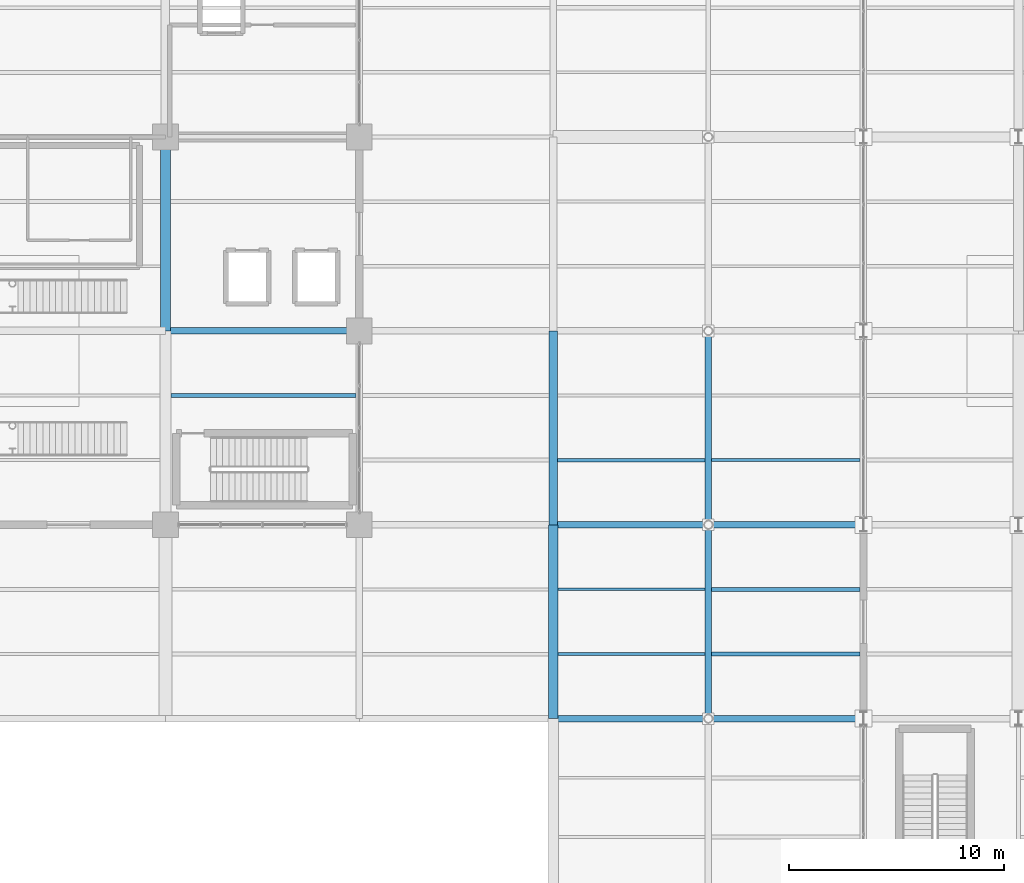
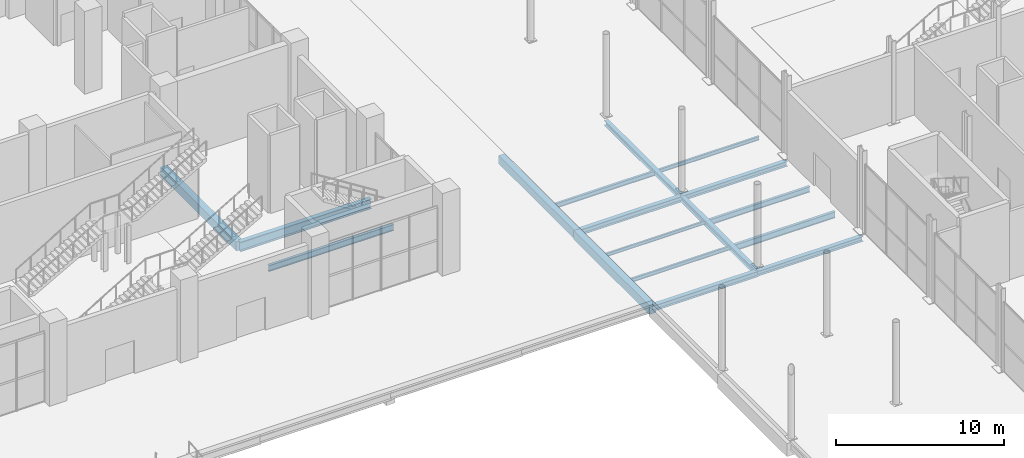
# One storey, part 37 of 144: 17 beams.
"""IFC4 building model written with IfcOpenShell, lengths in metres."""

from ifc_helpers import new_model, si_unit, direction, frame, origin, origin_2d, place, context, subcontext, project, spatial, rectangle, i_section, extrude, material, material_profile, profile_set, type_object, element, save


model = new_model("IFC4")

# Units and contexts
model_context = context("Model", 3, precision=1e-05, world=origin(), true_north=direction((0.0, 1.0)))
body_context = subcontext(model_context, "Body", "Model", "MODEL_VIEW")
ifc_project = project(units=[si_unit("LENGTHUNIT", "METRE"), si_unit("AREAUNIT", "SQUARE_METRE"), si_unit("VOLUMEUNIT", "CUBIC_METRE"), si_unit("PLANEANGLEUNIT", "RADIAN"), si_unit("MASSUNIT", "GRAM", prefix="KILO")], contexts=[model_context])

# Site, building, storey
site_placement = place(None, origin())
site = spatial("IfcSite", under=ifc_project, at=site_placement, CompositionType="ELEMENT")
building_placement = place(site_placement, origin())
building = spatial("IfcBuilding", under=site, at=building_placement, Name="Sundgate Opera House", CompositionType="ELEMENT")
storey_placement = place(building_placement, origin())
storey = spatial("IfcBuildingStorey", under=building, at=storey_placement, Name="L00", CompositionType="ELEMENT", Elevation=0.0)

# Beams
ifc_material_1 = material(Name="Steel S355J2", Category="steel")
ifc_material_profile_1 = material_profile(ifc_material_1, i_section(OverallWidth=0.300048828125, OverallDepth=0.35009765625, WebThickness=0.010009765625, FlangeThickness=0.017578125, at=origin_2d()), Name="HEA 360")
ifc_profile_set_1 = profile_set([ifc_material_profile_1], Name="Steel S355J2")
beam_type_1 = type_object("IfcBeamType", Name="BM-GR-HEA360", PredefinedType="BEAM", material=ifc_profile_set_1)
beam_1_placement = place(storey_placement, frame((88.199951171875, 42.0, -0.4951171875), z_axis=(0.0, 1.0, 0.0), x_axis=(-1.0, 0.0, 0.0)))
element("IfcBeam", 1, at=beam_1_placement, inside=storey, type_object=beam_type_1, Name="L00 Primary N-S Girder B0181", PredefinedType="BEAM", context=body_context, shape_type="SweptSolid", body=[
    extrude(i_section(OverallWidth=0.300048828125, OverallDepth=0.35009765625, WebThickness=0.010009765625, FlangeThickness=0.017578125, at=origin_2d()), origin(), (0.0, 0.0, 1.0), 9.0),
])
ifc_material_2 = material(Name="Steel S355J2", Category="steel")
ifc_material_profile_2 = material_profile(ifc_material_2, i_section(OverallWidth=0.300048828125, OverallDepth=0.389892578125, WebThickness=0.010986328125, FlangeThickness=0.01904296875, at=origin_2d()), Name="HEA 400")
ifc_profile_set_2 = profile_set([ifc_material_profile_2], Name="Steel S355J2")
beam_type_2 = type_object("IfcBeamType", Name="BM-GR-HEA400", PredefinedType="BEAM", material=ifc_profile_set_2)
beam_2_placement = place(storey_placement, frame((88.199951171875, 33.0, -0.514892578125), z_axis=(0.0, 1.0, 0.0), x_axis=(-1.0, 0.0, 0.0)))
element("IfcBeam", 2, at=beam_2_placement, inside=storey, type_object=beam_type_2, Name="L00 Primary N-S Girder B0180", PredefinedType="BEAM", context=body_context, shape_type="SweptSolid", body=[
    extrude(i_section(OverallWidth=0.300048828125, OverallDepth=0.389892578125, WebThickness=0.010986328125, FlangeThickness=0.01904296875, at=origin_2d()), origin(), (0.0, 0.0, 1.0), 9.0),
])
ifc_material_3 = material(Name="Steel S355J2", Category="steel")
ifc_material_profile_3 = material_profile(ifc_material_3, i_section(OverallWidth=0.300048828125, OverallDepth=0.360107421875, WebThickness=0.012451171875, FlangeThickness=0.0224609375, at=origin_2d()), Name="HEB 360")
ifc_profile_set_3 = profile_set([ifc_material_profile_3], Name="Steel S355J2")
beam_type_3 = type_object("IfcBeamType", Name="BM-GR-HEB360", PredefinedType="BEAM", material=ifc_profile_set_3)
for number, where, z_axis, x_axis, name in (
    (3, (88.199951171875, 33.0, -0.5), (1.0, 0.0, 0.0), (0.0, 1.0, 0.0), "L00 Primary E-W Girder B0395"),
    (4, (88.199951171875, 42.0, -0.5), (1.0, 0.0, 0.0), (0.0, 1.0, 0.0), "L00 Primary E-W Girder B0417"),
):
    element("IfcBeam", number, at=place(storey_placement, frame(where, z_axis=z_axis, x_axis=x_axis)), inside=storey, type_object=beam_type_3, Name=name, PredefinedType="BEAM", context=body_context, shape_type="SweptSolid", body=[
        extrude(i_section(OverallWidth=0.300048828125, OverallDepth=0.360107421875, WebThickness=0.012451171875, FlangeThickness=0.0224609375, at=origin_2d()), origin(), (0.0, 0.0, 1.0), 7.199951171875),
    ])
ifc_material_4 = material(Name="Steel S355J2", Category="steel")
ifc_material_profile_4 = material_profile(ifc_material_4, i_section(OverallWidth=0.300048828125, OverallDepth=0.39990234375, WebThickness=0.013427734375, FlangeThickness=0.02392578125, at=origin_2d()), Name="HEB 400")
ifc_profile_set_4 = profile_set([ifc_material_profile_4], Name="Steel S355J2")
beam_type_4 = type_object("IfcBeamType", Name="BM-GR-HEB400", PredefinedType="BEAM", material=ifc_profile_set_4)
for number, where, z_axis, x_axis, name in (
    (5, (81.0, 33.0, -0.52001953125), (1.0, 0.0, 0.0), (0.0, 1.0, 0.0), "L00 Primary E-W Girder B0394"),
    (6, (81.0, 42.0, -0.52001953125), (1.0, 0.0, 0.0), (0.0, 1.0, 0.0), "L00 Primary E-W Girder B0416"),
):
    element("IfcBeam", number, at=place(storey_placement, frame(where, z_axis=z_axis, x_axis=x_axis)), inside=storey, type_object=beam_type_4, Name=name, PredefinedType="BEAM", context=body_context, shape_type="SweptSolid", body=[
        extrude(i_section(OverallWidth=0.300048828125, OverallDepth=0.39990234375, WebThickness=0.013427734375, FlangeThickness=0.02392578125, at=origin_2d()), origin(), (0.0, 0.0, 1.0), 7.199951171875),
    ])
ifc_material_5 = material(Name="Steel S355J2", Category="steel")
ifc_material_profile_5 = material_profile(ifc_material_5, i_section(OverallWidth=0.300048828125, OverallDepth=0.699951171875, WebThickness=0.01708984375, FlangeThickness=0.031982421875, at=origin_2d()), Name="HEB 700")
ifc_profile_set_5 = profile_set([ifc_material_profile_5], Name="Steel S355J2")
beam_type_5 = type_object("IfcBeamType", Name="BM-GR-HEB700", PredefinedType="BEAM", material=ifc_profile_set_5)
beam_3_placement = place(storey_placement, frame((63.0, 51.0, -0.669921875), z_axis=(1.0, 0.0, 0.0), x_axis=(0.0, 1.0, 0.0)))
element("IfcBeam", 7, at=beam_3_placement, inside=storey, type_object=beam_type_5, Name="L00 Primary E-W Girder B0432", PredefinedType="BEAM", context=body_context, shape_type="SweptSolid", body=[
    extrude(i_section(OverallWidth=0.300048828125, OverallDepth=0.699951171875, WebThickness=0.01708984375, FlangeThickness=0.031982421875, at=origin_2d()), origin(), (0.0, 0.0, 1.0), 9.0),
])
ifc_material_6 = material(Name="Steel S355J2", Category="steel")
ifc_material_profile_6 = material_profile(ifc_material_6, i_section(OverallWidth=0.1201171875, OverallDepth=0.239990234375, WebThickness=0.006103515625, FlangeThickness=0.009765625, at=origin_2d()), Name="IPE 240")
ifc_profile_set_6 = profile_set([ifc_material_profile_6], Name="Steel S355J2")
beam_type_6 = type_object("IfcBeamType", Name="BM-JS-IPE240", PredefinedType="JOIST", material=ifc_profile_set_6)
beam_4_placement = place(storey_placement, frame((81.22509765625, 39.0, -0.43994140625), z_axis=(1.0, 0.0, 0.0), x_axis=(0.0, 1.0, 0.0)))
element("IfcBeam", 8, at=beam_4_placement, inside=storey, type_object=beam_type_6, Name="L00 Secondary Floor Joist B0727", PredefinedType="JOIST", context=body_context, shape_type="SweptSolid", body=[
    extrude(i_section(OverallWidth=0.1201171875, OverallDepth=0.239990234375, WebThickness=0.006103515625, FlangeThickness=0.009765625, at=origin_2d()), origin(), (0.0, 0.0, 1.0), 6.824951171875),
])
ifc_material_7 = material(Name="Steel S355J2", Category="steel")
ifc_material_profile_7 = material_profile(ifc_material_7, i_section(OverallWidth=0.135009765625, OverallDepth=0.27001953125, WebThickness=0.006591796875, FlangeThickness=0.01025390625, at=origin_2d()), Name="IPE 270")
ifc_profile_set_7 = profile_set([ifc_material_profile_7], Name="Steel S355J2")
beam_type_7 = type_object("IfcBeamType", Name="BM-JS-IPE270", PredefinedType="JOIST", material=ifc_profile_set_7)
beam_5_placement = place(storey_placement, frame((81.22509765625, 36.0, -0.455078125), z_axis=(1.0, 0.0, 0.0), x_axis=(0.0, 1.0, 0.0)))
element("IfcBeam", 9, at=beam_5_placement, inside=storey, type_object=beam_type_7, Name="L00 Secondary Floor Joist B0726", PredefinedType="JOIST", context=body_context, shape_type="SweptSolid", body=[
    extrude(i_section(OverallWidth=0.135009765625, OverallDepth=0.27001953125, WebThickness=0.006591796875, FlangeThickness=0.01025390625, at=origin_2d()), origin(), (0.0, 0.0, 1.0), 6.824951171875),
])
beam_6_placement = place(storey_placement, frame((88.35009765625, 45.0, -0.455078125), z_axis=(1.0, 0.0, 0.0), x_axis=(0.0, 1.0, 0.0)))
element("IfcBeam", 10, at=beam_6_placement, inside=storey, type_object=beam_type_7, Name="L00 Secondary Floor Joist B0761", PredefinedType="JOIST", context=body_context, shape_type="SweptSolid", body=[
    extrude(i_section(OverallWidth=0.135009765625, OverallDepth=0.27001953125, WebThickness=0.006591796875, FlangeThickness=0.01025390625, at=origin_2d()), origin(), (0.0, 0.0, 1.0), 6.89990234375),
])
ifc_material_8 = material(Name="Steel S355J2", Category="steel")
ifc_material_profile_8 = material_profile(ifc_material_8, i_section(OverallWidth=0.159912109375, OverallDepth=0.330078125, WebThickness=0.007568359375, FlangeThickness=0.011474609375, at=origin_2d()), Name="IPE 330")
ifc_profile_set_8 = profile_set([ifc_material_profile_8], Name="Steel S355J2")
beam_type_8 = type_object("IfcBeamType", Name="BM-JS-IPE330", PredefinedType="JOIST", material=ifc_profile_set_8)
beam_7_placement = place(storey_placement, frame((81.199951171875, 45.0, -0.485107421875), z_axis=(1.0, 0.0, 0.0), x_axis=(0.0, 1.0, 0.0)))
element("IfcBeam", 11, at=beam_7_placement, inside=storey, type_object=beam_type_8, Name="L00 Secondary Floor Joist B0759", PredefinedType="JOIST", context=body_context, shape_type="SweptSolid", body=[
    extrude(i_section(OverallWidth=0.159912109375, OverallDepth=0.330078125, WebThickness=0.007568359375, FlangeThickness=0.011474609375, at=origin_2d()), origin(), (0.0, 0.0, 1.0), 6.85009765625),
])
ifc_material_9 = material(Name="Steel S355J2", Category="steel")
ifc_material_profile_9 = material_profile(ifc_material_9, i_section(OverallWidth=0.179931640625, OverallDepth=0.39990234375, WebThickness=0.008544921875, FlangeThickness=0.013427734375, at=origin_2d()), Name="IPE 400")
ifc_profile_set_9 = profile_set([ifc_material_profile_9], Name="Steel S355J2")
beam_type_9 = type_object("IfcBeamType", Name="BM-JS-IPE400", PredefinedType="JOIST", material=ifc_profile_set_9)
beam_8_placement = place(storey_placement, frame((88.35009765625, 39.0, -0.52001953125), z_axis=(1.0, 0.0, 0.0), x_axis=(0.0, 1.0, 0.0)))
element("IfcBeam", 12, at=beam_8_placement, inside=storey, type_object=beam_type_9, Name="L00 Secondary Floor Joist B0729", PredefinedType="JOIST", context=body_context, shape_type="SweptSolid", body=[
    extrude(i_section(OverallWidth=0.179931640625, OverallDepth=0.39990234375, WebThickness=0.008544921875, FlangeThickness=0.013427734375, at=origin_2d()), origin(), (0.0, 0.0, 1.0), 6.89990234375),
])
ifc_material_10 = material(Name="Steel S355J2", Category="steel")
ifc_material_profile_10 = material_profile(ifc_material_10, i_section(OverallWidth=0.18994140625, OverallDepth=0.449951171875, WebThickness=0.009521484375, FlangeThickness=0.0146484375, at=origin_2d()), Name="IPE 450")
ifc_profile_set_10 = profile_set([ifc_material_profile_10], Name="Steel S355J2")
beam_type_10 = type_object("IfcBeamType", Name="BM-JS-IPE450", PredefinedType="JOIST", material=ifc_profile_set_10)
beam_9_placement = place(storey_placement, frame((88.35009765625, 36.0, -0.544921875), z_axis=(1.0, 0.0, 0.0), x_axis=(0.0, 1.0, 0.0)))
element("IfcBeam", 13, at=beam_9_placement, inside=storey, type_object=beam_type_10, Name="L00 Secondary Floor Joist B0728", PredefinedType="JOIST", context=body_context, shape_type="SweptSolid", body=[
    extrude(i_section(OverallWidth=0.18994140625, OverallDepth=0.449951171875, WebThickness=0.009521484375, FlangeThickness=0.0146484375, at=origin_2d()), origin(), (0.0, 0.0, 1.0), 6.89990234375),
])
beam_10_placement = place(storey_placement, frame((63.25, 48.0, -0.544921875), z_axis=(1.0, 0.0, 0.0), x_axis=(0.0, 1.0, 0.0)))
element("IfcBeam", 14, at=beam_10_placement, inside=storey, type_object=beam_type_10, Name="L00 Secondary Floor Joist B0756", PredefinedType="JOIST", context=body_context, shape_type="SweptSolid", body=[
    extrude(i_section(OverallWidth=0.18994140625, OverallDepth=0.449951171875, WebThickness=0.009521484375, FlangeThickness=0.0146484375, at=origin_2d()), origin(), (0.0, 0.0, 1.0), 8.60009765625),
])
ifc_material_11 = material(Name="Concrete C35/45", Category="concrete")
ifc_material_profile_11 = material_profile(ifc_material_11, rectangle(XDim=0.39990234375, YDim=0.60009765625, at=origin_2d()), Name="RC 400x600")
ifc_profile_set_11 = profile_set([ifc_material_profile_11], Name="Concrete C35/45")
beam_type_11 = type_object("IfcBeamType", Name="BM-RC-400x600", PredefinedType="BEAM", material=ifc_profile_set_11)
beam_11_placement = place(storey_placement, frame((81.0, 42.0, -0.6201171875), z_axis=(0.0, 1.0, 0.0), x_axis=(-1.0, 0.0, 0.0)))
element("IfcBeam", 15, at=beam_11_placement, inside=storey, type_object=beam_type_11, Name="L00 Primary N-S Girder B0167", PredefinedType="BEAM", context=body_context, shape_type="SweptSolid", body=[
    extrude(rectangle(XDim=0.39990234375, YDim=0.60009765625, at=origin_2d()), origin(), (0.0, 0.0, 1.0), 9.0),
])
ifc_material_12 = material(Name="Concrete C35/45", Category="concrete")
ifc_material_profile_12 = material_profile(ifc_material_12, rectangle(XDim=0.449951171875, YDim=0.64990234375, at=origin_2d()), Name="RC 450x650")
ifc_profile_set_12 = profile_set([ifc_material_profile_12], Name="Concrete C35/45")
beam_type_12 = type_object("IfcBeamType", Name="BM-RC-450x650", PredefinedType="BEAM", material=ifc_profile_set_12)
for number, where, z_axis, x_axis, name in (
    (16, (63.0, 51.0, -0.64501953125), (0.0, 1.0, 0.0), (-1.0, 0.0, 0.0), "L00 Primary N-S Girder B0144"),
    (17, (81.0, 33.0, -0.64501953125), (0.0, 1.0, 0.0), (-1.0, 0.0, 0.0), "L00 Primary N-S Girder B0166"),
):
    element("IfcBeam", number, at=place(storey_placement, frame(where, z_axis=z_axis, x_axis=x_axis)), inside=storey, type_object=beam_type_12, Name=name, PredefinedType="BEAM", context=body_context, shape_type="SweptSolid", body=[
        extrude(rectangle(XDim=0.449951171875, YDim=0.64990234375, at=origin_2d()), origin(), (0.0, 0.0, 1.0), 9.0),
    ])

save(model, "model.ifc")
